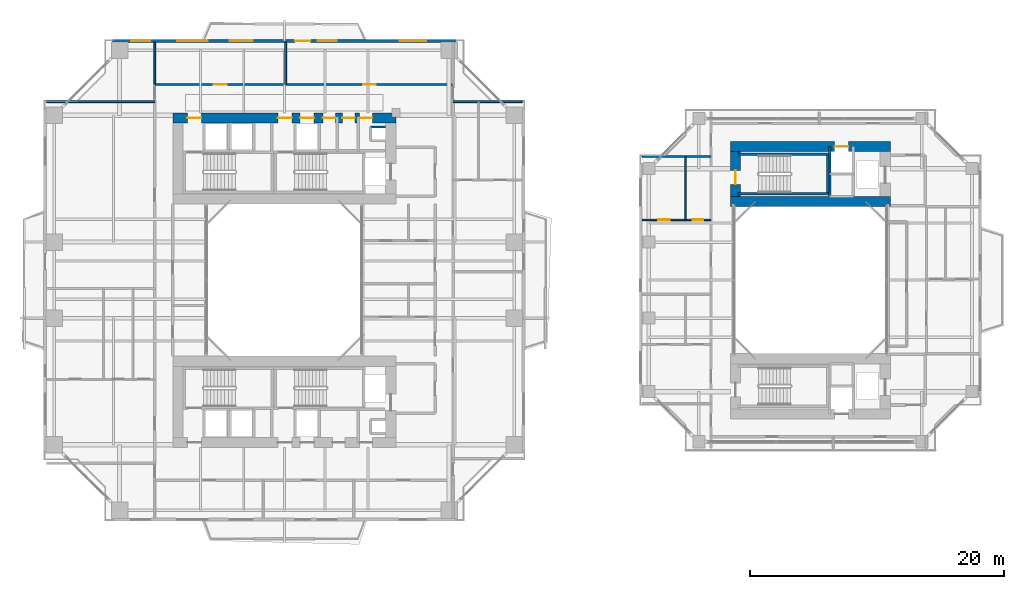
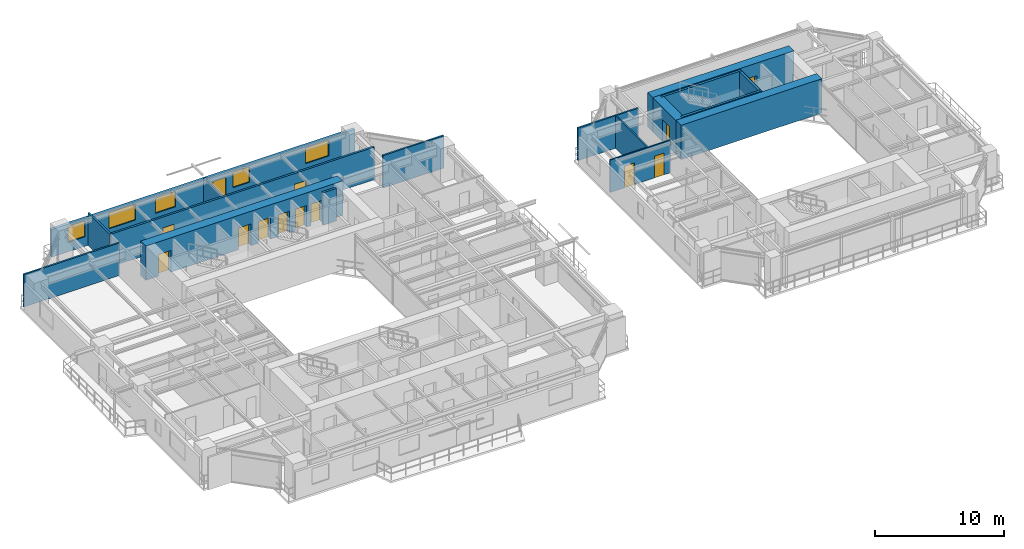
# One storey, part 16 of 23: 18 walls, 13 doors, 5 windows, 18 openings.
"""IFC4 building model written with IfcOpenShell, lengths in metres."""

import ifcopenshell
import ifcopenshell.guid

model = None  # the IFC model being written
_history = None  # IfcOwnerHistory: only IFC2X3 demands one
_inside = {}  # id of a spatial element -> (the spatial element, [elements in it])
_under = {}  # id of a project, library or spatial element -> (it, [spatial elements below it])
_declared = {}  # id of a project -> (the project, [libraries it declares])
_typed = {}  # id of a type object -> (the type object, [elements of that type])
_made_of = {}  # id of a material, layer set ... -> (it, [elements and type objects made of it])


def new_model(schema):
    """Start an empty IFC model of exactly this schema.

    Asked for "IFC4X3", IfcOpenShell would pick the latest addendum, in which some entities
    have other attributes; the version numbers below select the first issue.
    IFC2X3 requires an IfcOwnerHistory on every rooted entity: one is made here for all.
    """
    global model, _history
    if schema == "IFC4X3":
        model = ifcopenshell.file(schema_version=(4, 3, 0, 0))
    else:
        model = ifcopenshell.file(schema=schema)
    _inside.clear()
    _under.clear()
    _declared.clear()
    _typed.clear()
    _made_of.clear()
    _history = None
    if model.schema == "IFC2X3":
        org = make("IfcOrganization", Name="unknown")
        user = make(
            "IfcPersonAndOrganization",
            ThePerson=make("IfcPerson", FamilyName="unknown"),
            TheOrganization=org,
        )
        app = make(
            "IfcApplication",
            ApplicationDeveloper=org,
            Version="unknown",
            ApplicationFullName="unknown",
            ApplicationIdentifier="unknown",
        )
        _history = make(
            "IfcOwnerHistory",
            OwningUser=user,
            OwningApplication=app,
            ChangeAction="ADDED",
            CreationDate=0,
        )
    return model


def make(cls, **values):
    """One entity of the class cls with the attributes given. An attribute that is None is left unset."""
    return model.create_entity(
        cls, **{name: value for name, value in values.items() if value is not None}
    )


def rooted(cls, **values):
    """An entity with a GlobalId (a new one), such as an element, a storey or a relation."""
    return make(cls, GlobalId=ifcopenshell.guid.new(), OwnerHistory=_history, **values)


def si_unit(unit_type, name, prefix=None):
    """IfcSIUnit, for example si_unit("LENGTHUNIT", "METRE", prefix="MILLI")."""
    return make("IfcSIUnit", UnitType=unit_type, Prefix=prefix, Name=name)


def assignment(units):
    """IfcUnitAssignment: the units of a project."""
    return None if units is None else make("IfcUnitAssignment", Units=units)


def point(xyz):
    """IfcCartesianPoint."""
    return None if xyz is None else make("IfcCartesianPoint", Coordinates=xyz)


def direction(xyz):
    """IfcDirection."""
    return None if xyz is None else make("IfcDirection", DirectionRatios=xyz)


def frame(location, z_axis=None, x_axis=None):
    """IfcAxis2Placement3D, a coordinate frame: its origin and axes. An axis left out is left unset."""
    return make(
        "IfcAxis2Placement3D",
        Location=point(location),
        Axis=direction(z_axis),
        RefDirection=direction(x_axis),
    )


def frame_2d(location, x_axis=None):
    """IfcAxis2Placement2D, a coordinate frame in the plane: its origin and x axis."""
    return make(
        "IfcAxis2Placement2D", Location=point(location), RefDirection=direction(x_axis)
    )


def origin():
    """The frame at (0, 0, 0) with its axes left unset."""
    return frame((0.0, 0.0, 0.0))


def place(relative_to, where):
    """IfcLocalPlacement: puts the frame where relative to a parent placement (None: the world)."""
    return make(
        "IfcLocalPlacement", PlacementRelTo=relative_to, RelativePlacement=where
    )


def context(
    kind, dimensions, precision=None, world=None, true_north=None, identifier=None
):
    """IfcGeometricRepresentationContext, for example the 3D "Model" context."""
    return make(
        "IfcGeometricRepresentationContext",
        ContextIdentifier=identifier,
        ContextType=kind,
        CoordinateSpaceDimension=dimensions,
        Precision=precision,
        WorldCoordinateSystem=world,
        TrueNorth=true_north,
    )


def subcontext(parent, identifier, kind, view, scale=None):
    """IfcGeometricRepresentationSubContext, for example "Body" below "Model"."""
    return make(
        "IfcGeometricRepresentationSubContext",
        ContextIdentifier=identifier,
        ContextType=kind,
        ParentContext=parent,
        TargetScale=scale,
        TargetView=view,
    )


def project(units=None, contexts=None):
    """IfcProject with its units and contexts."""
    return rooted(
        "IfcProject",
        Name="project",
        RepresentationContexts=contexts,
        UnitsInContext=assignment(units),
    )


def spatial(cls, under=None, at=None, **own):
    """A site, building, storey or space (cls), placed at a placement, below another one or the project."""
    s = rooted(cls, ObjectPlacement=at, **own)
    if under is not None:
        _under.setdefault(under.id(), (under, []))[1].append(s)
    return s


def profile(cls, at=None, kind="AREA", **sizes):
    """A parametric profile (cls). Its sizes go by their IFC names, for example OverallWidth=200.0."""
    return make(cls, ProfileType=kind, Position=at, **sizes)


def rectangle(**sizes):
    """IfcRectangleProfileDef."""
    return profile("IfcRectangleProfileDef", **sizes)


def extrude(swept, where, along, depth):
    """IfcExtrudedAreaSolid: the profile swept, set in the frame where, extruded along a direction by depth."""
    return make(
        "IfcExtrudedAreaSolid",
        SweptArea=swept,
        Position=where,
        ExtrudedDirection=direction(along),
        Depth=depth,
    )


def shape(context_of_items, identifier, shape_type, items):
    """IfcShapeRepresentation: the items that make up one representation, for example the "Body"."""
    return make(
        "IfcShapeRepresentation",
        ContextOfItems=context_of_items,
        RepresentationIdentifier=identifier,
        RepresentationType=shape_type,
        Items=items,
    )


def source(mapping_origin, context_of_items, identifier, shape_type, items):
    """IfcRepresentationMap: a shape defined once, which mapped items show again and again."""
    return make(
        "IfcRepresentationMap",
        MappingOrigin=mapping_origin,
        MappedRepresentation=shape(context_of_items, identifier, shape_type, items),
    )


def transform(
    local_origin,
    x_axis=None,
    y_axis=None,
    z_axis=None,
    scale=None,
    scale2=None,
    scale3=None,
    uniform=True,
):
    """IfcCartesianTransformationOperator3D, or its non-uniform kind. x_axis, y_axis, z_axis: its Axis1, 2, 3."""
    if uniform:
        return make(
            "IfcCartesianTransformationOperator3D",
            Axis1=direction(x_axis),
            Axis2=direction(y_axis),
            LocalOrigin=point(local_origin),
            Scale=scale,
            Axis3=direction(z_axis),
        )
    return make(
        "IfcCartesianTransformationOperator3DnonUniform",
        Axis1=direction(x_axis),
        Axis2=direction(y_axis),
        LocalOrigin=point(local_origin),
        Scale=scale,
        Axis3=direction(z_axis),
        Scale2=scale2,
        Scale3=scale3,
    )


def mapped(mapping_source, mapping_target):
    """IfcMappedItem: shows the shape of a source again, moved by a transform."""
    return make(
        "IfcMappedItem", MappingSource=mapping_source, MappingTarget=mapping_target
    )


def material(Name=None, Category=None):
    """IfcMaterial."""
    return make("IfcMaterial", Name=Name, Category=Category)


def layer(
    of_material, thickness, ventilated=None, Name=None, Category=None, Priority=None
):
    """IfcMaterialLayer: one layer of a wall or slab, of a material (None: an air gap)."""
    return make(
        "IfcMaterialLayer",
        Material=of_material,
        LayerThickness=thickness,
        IsVentilated=ventilated,
        Name=Name,
        Category=Category,
        Priority=Priority,
    )


def layer_set(layers, Name=None):
    """IfcMaterialLayerSet."""
    return make("IfcMaterialLayerSet", MaterialLayers=layers, LayerSetName=Name)


def made_of(thing, what):
    """Note that an element or type object is made of a material, layer set ...; save() writes the relation."""
    if what is not None:
        _made_of.setdefault(what.id(), (what, []))[1].append(thing)
    return thing


def type_object(cls, material=None, **own):
    """A type object (cls), such as IfcWallType, which elements share."""
    return made_of(rooted(cls, **own), material)


def element(
    cls,
    number,
    at=None,
    inside=None,
    cuts=None,
    type_object=None,
    material=None,
    context=None,
    identifier="Body",
    shape_type=None,
    held_by="IfcProductDefinitionShape",
    body=None,
    shapes=None,
    **own,
):
    """One element of the class cls, such as IfcWall. Its Tag is "e" and its number.

    at: its placement. inside: the storey or other place that contains it. cuts: it is an
    opening in that element (IfcRelVoidsElement). A single representation is given by context,
    identifier, shape_type and body (its items); several are given by shapes. held_by: the class
    of the entity that holds the representations. save() writes the other relations.
    """
    e = rooted(cls, Tag="e%d" % number, ObjectPlacement=at, **own)
    if body is not None:
        shapes = [shape(context, identifier, shape_type, body)]
    if shapes is not None:
        e.Representation = make(held_by, Representations=shapes)
    if inside is not None:
        _inside.setdefault(inside.id(), (inside, []))[1].append(e)
    if cuts is not None:
        rooted(
            "IfcRelVoidsElement", RelatingBuildingElement=cuts, RelatedOpeningElement=e
        )
    if type_object is not None:
        _typed.setdefault(type_object.id(), (type_object, []))[1].append(e)
    return made_of(e, material)


def fill(opening, filler):
    """IfcRelFillsElement: the door or window that sits in an opening."""
    return rooted(
        "IfcRelFillsElement",
        RelatingOpeningElement=opening,
        RelatedBuildingElement=filler,
    )


def aggregate(whole, parts):
    """IfcRelAggregates: a whole, such as a stair, and the parts it consists of."""
    return rooted("IfcRelAggregates", RelatingObject=whole, RelatedObjects=parts)


def save(model, path):
    """Write the relations noted so far, then the file.

    IfcRelAggregates (storeys below a building ...), IfcRelContainedInSpatialStructure (elements
    in a storey), IfcRelDefinesByType, IfcRelAssociatesMaterial and IfcRelDeclares: one each for
    every whole, place, type object, material and project.
    """
    for whole, parts in _under.values():
        aggregate(whole, parts)
    for where, things in _inside.values():
        rooted(
            "IfcRelContainedInSpatialStructure",
            RelatedElements=things,
            RelatingStructure=where,
        )
    for kind, things in _typed.values():
        rooted("IfcRelDefinesByType", RelatedObjects=things, RelatingType=kind)
    for what, things in _made_of.values():
        rooted("IfcRelAssociatesMaterial", RelatedObjects=things, RelatingMaterial=what)
    for by, libraries in _declared.values():
        rooted("IfcRelDeclares", RelatingContext=by, RelatedDefinitions=libraries)
    model.write(path)


model = new_model("IFC4")

# Units and contexts
model_context = context("Model", 3, precision=1e-05, world=origin(), true_north=direction((0.0, 1.0)))
body_context = subcontext(model_context, "Body", "Model", "MODEL_VIEW")
ifc_project = project(units=[si_unit("LENGTHUNIT", "METRE"), si_unit("AREAUNIT", "SQUARE_METRE"), si_unit("VOLUMEUNIT", "CUBIC_METRE"), si_unit("PLANEANGLEUNIT", "RADIAN"), si_unit("MASSUNIT", "GRAM", prefix="KILO"), si_unit("THERMODYNAMICTEMPERATUREUNIT", "KELVIN"), si_unit("POWERUNIT", "WATT")], contexts=[model_context])

# Site, building, storey
site_placement = place(None, origin())
site = spatial("IfcSite", under=ifc_project, at=site_placement, CompositionType="ELEMENT")
building_placement = place(site_placement, origin())
building = spatial("IfcBuilding", under=site, at=building_placement, Name="Qiaomeng Ring Towers", CompositionType="ELEMENT")
storey_placement = place(building_placement, frame((0.0, 0.0, 29.5)))
storey = spatial("IfcBuildingStorey", under=building, at=storey_placement, Name="L07", CompositionType="ELEMENT", Elevation=29.5)

# Wall, openings, windows, door
ifc_material_1 = material(Name="Precast concrete C40", Category="concrete")
ifc_layer_1 = layer(ifc_material_1, 0.25, Name="Precast concrete C40")
ifc_layer_set_1 = layer_set([ifc_layer_1], Name="Precast concrete C40")
wall_type_1 = type_object("IfcWallType", Name="ARC-WL-EW1", PredefinedType="STANDARD", material=ifc_layer_set_1)
wall_1_placement = place(storey_placement, frame((5.449951171875, 41.875, 0.0), z_axis=(0.0, 0.0, 1.0), x_axis=(1.0, 0.0, 0.0)))
wall_1 = element("IfcWall", 1, at=wall_1_placement, inside=storey, type_object=wall_type_1, Name="L07 Tower 1 N Exterior Wall", PredefinedType="STANDARD", context=body_context, shape_type="SweptSolid", body=[
    extrude(rectangle(XDim=27.10009765625, YDim=0.25, at=frame_2d((13.550048828125, 0.0))), origin(), (0.0, 0.0, 1.0), 2.610107421875),
])
opening_1_placement = place(wall_1_placement, frame((14.39990234375, 0.0, 0.0)))
opening_1 = element("IfcOpeningElement", 2, at=opening_1_placement, cuts=wall_1, Name="Opening BD1", PredefinedType="OPENING", context=body_context, shape_type="SweptSolid", body=[
    extrude(rectangle(XDim=1.199951171875, YDim=2.10009765625, at=frame_2d((0.60009765625, 1.050048828125))), frame((0.0, 0.135009765625, 0.0), z_axis=(0.0, -1.0, 0.0), x_axis=(1.0, 0.0, 0.0)), (0.0, 0.0, 1.0), 0.27001953125),
])
opening_2_placement = place(wall_1_placement, frame((1.47998046875, 0.0, 0.89990234375)))
opening_2 = element("IfcOpeningElement", 3, at=opening_2_placement, cuts=wall_1, Name="Opening WN2", PredefinedType="OPENING", context=body_context, shape_type="SweptSolid", body=[
    extrude(rectangle(XDim=1.5, YDim=1.5, at=frame_2d((0.75, 0.75))), frame((0.0, 0.135009765625, 0.0), z_axis=(0.0, -1.0, 0.0), x_axis=(1.0, 0.0, 0.0)), (0.0, 0.0, 1.0), 0.27001953125),
])
opening_3_placement = place(wall_1_placement, frame((9.262939453125, 0.0, 0.89990234375)))
opening_3 = element("IfcOpeningElement", 4, at=opening_3_placement, cuts=wall_1, Name="Opening WN1", PredefinedType="OPENING", context=body_context, shape_type="SweptSolid", body=[
    extrude(rectangle(XDim=1.800048828125, YDim=1.449951171875, at=frame_2d((0.89990234375, 0.72509765625))), frame((0.0, 0.135009765625, 0.0), z_axis=(0.0, -1.0, 0.0), x_axis=(1.0, 0.0, 0.0)), (0.0, 0.0, 1.0), 0.27001953125),
])
opening_4_placement = place(wall_1_placement, frame((16.18798828125, 0.0, 0.89990234375)))
opening_4 = element("IfcOpeningElement", 5, at=opening_4_placement, cuts=wall_1, Name="Opening WN2", PredefinedType="OPENING", context=body_context, shape_type="SweptSolid", body=[
    extrude(rectangle(XDim=1.5, YDim=1.449951171875, at=frame_2d((0.75, 0.72509765625))), frame((0.0, 0.135009765625, 0.0), z_axis=(0.0, -1.0, 0.0), x_axis=(1.0, 0.0, 0.0)), (0.0, 0.0, 1.0), 0.27001953125),
])
opening_5_placement = place(wall_1_placement, frame((22.6630859375, 0.0, 0.89990234375)))
opening_5 = element("IfcOpeningElement", 6, at=opening_5_placement, cuts=wall_1, Name="Opening WN4", PredefinedType="OPENING", context=body_context, shape_type="SweptSolid", body=[
    extrude(rectangle(XDim=2.10009765625, YDim=1.47998046875, at=frame_2d((1.050048828125, 0.739990234375))), frame((0.0, 0.135009765625, 0.0), z_axis=(0.0, -1.0, 0.0), x_axis=(1.0, 0.0, 0.0)), (0.0, 0.0, 1.0), 0.27001953125),
])
opening_6_placement = place(wall_1_placement, frame((5.114013671875, 0.0, 0.89990234375)))
opening_6 = element("IfcOpeningElement", 7, at=opening_6_placement, cuts=wall_1, Name="Opening WN6", PredefinedType="OPENING", context=body_context, shape_type="SweptSolid", body=[
    extrude(rectangle(XDim=2.39990234375, YDim=1.5, at=frame_2d((1.199951171875, 0.75))), frame((0.0, 0.135009765625, 0.0), z_axis=(0.0, -1.0, 0.0), x_axis=(1.0, 0.0, 0.0)), (0.0, 0.0, 1.0), 0.27001953125),
])
ifc_material_2 = material(Name="Low-E dark-grey laminated double glazing", Category="glass")
window_type_1 = type_object("IfcWindowType", Name="ARC-WN-2", PartitioningType="DOUBLE_PANEL_VERTICAL", PredefinedType="WINDOW", material=ifc_material_2)
shared_shape_1 = source(origin(), body_context, "Body", "SweptSolid", [
    extrude(rectangle(XDim=1.5, YDim=1.449951171875, at=frame_2d((0.75, 0.72509765625))), frame((0.0, 0.030029296875, 0.0), z_axis=(0.0, -1.0, 0.0), x_axis=(1.0, 0.0, 0.0)), (0.0, 0.0, 1.0), 0.06005859375),
])
window_1_placement = place(opening_4_placement, origin())
window_1 = element("IfcWindow", 8, at=window_1_placement, inside=storey, type_object=window_type_1, Name="L07 Exterior Window WN2", OverallHeight=1.449951171875, OverallWidth=1.5, PartitioningType="DOUBLE_PANEL_VERTICAL", PredefinedType="WINDOW", context=body_context, shape_type="MappedRepresentation", body=[
    mapped(shared_shape_1, transform((0.0, 0.0, 0.0), x_axis=(1.0, 0.0, 0.0), y_axis=(0.0, 1.0, 0.0), z_axis=(0.0, 0.0, 1.0), scale=1.0)),
])
fill(opening_4, window_1)
window_type_2 = type_object("IfcWindowType", Name="ARC-WN-4", PartitioningType="TRIPLE_PANEL_VERTICAL", PredefinedType="WINDOW", material=ifc_material_2)
shared_shape_2 = source(origin(), body_context, "Body", "SweptSolid", [
    extrude(rectangle(XDim=2.10009765625, YDim=1.47998046875, at=frame_2d((1.050048828125, 0.739990234375))), frame((0.0, 0.030029296875, 0.0), z_axis=(0.0, -1.0, 0.0), x_axis=(1.0, 0.0, 0.0)), (0.0, 0.0, 1.0), 0.06005859375),
])
window_2_placement = place(opening_5_placement, origin())
window_2 = element("IfcWindow", 9, at=window_2_placement, inside=storey, type_object=window_type_2, Name="L07 Exterior Window WN4", OverallHeight=1.47998046875, OverallWidth=2.10009765625, PartitioningType="TRIPLE_PANEL_VERTICAL", PredefinedType="WINDOW", context=body_context, shape_type="MappedRepresentation", body=[
    mapped(shared_shape_2, transform((0.0, 0.0, 0.0), x_axis=(1.0, 0.0, 0.0), y_axis=(0.0, 1.0, 0.0), z_axis=(0.0, 0.0, 1.0), scale=1.0)),
])
fill(opening_5, window_2)
window_type_3 = type_object("IfcWindowType", Name="ARC-WN-1", PartitioningType="DOUBLE_PANEL_VERTICAL", PredefinedType="WINDOW", material=ifc_material_2)
shared_shape_3 = source(origin(), body_context, "Body", "SweptSolid", [
    extrude(rectangle(XDim=1.800048828125, YDim=1.449951171875, at=frame_2d((0.89990234375, 0.72509765625))), frame((0.0, 0.030029296875, 0.0), z_axis=(0.0, -1.0, 0.0), x_axis=(1.0, 0.0, 0.0)), (0.0, 0.0, 1.0), 0.06005859375),
])
window_3_placement = place(opening_3_placement, origin())
window_3 = element("IfcWindow", 10, at=window_3_placement, inside=storey, type_object=window_type_3, Name="L07 Exterior Window WN1", OverallHeight=1.449951171875, OverallWidth=1.800048828125, PartitioningType="DOUBLE_PANEL_VERTICAL", PredefinedType="WINDOW", context=body_context, shape_type="MappedRepresentation", body=[
    mapped(shared_shape_3, transform((0.0, 0.0, 0.0), x_axis=(1.0, 0.0, 0.0), y_axis=(0.0, 1.0, 0.0), z_axis=(0.0, 0.0, 1.0), scale=1.0)),
])
fill(opening_3, window_3)
door_type_1 = type_object("IfcDoorType", Name="ARC-DR-BD1", OperationType="NOTDEFINED", PredefinedType="DOOR", material=ifc_material_2)
shared_shape_4 = source(origin(), body_context, "Body", "SweptSolid", [
    extrude(rectangle(XDim=1.199951171875, YDim=2.10009765625, at=frame_2d((0.60009765625, 1.050048828125))), frame((0.0, 0.02490234375, 0.0), z_axis=(0.0, -1.0, 0.0), x_axis=(1.0, 0.0, 0.0)), (0.0, 0.0, 1.0), 0.050048828125),
])
door_1_placement = place(opening_1_placement, origin())
door_1 = element("IfcDoor", 11, at=door_1_placement, inside=storey, type_object=door_type_1, Name="L07 N Balcony Glazed Door", OperationType="SINGLE_SWING_LEFT", OverallHeight=2.10009765625, OverallWidth=1.199951171875, PredefinedType="DOOR", context=body_context, shape_type="MappedRepresentation", body=[
    mapped(shared_shape_4, transform((0.0, 0.0, 0.0), x_axis=(1.0, 0.0, 0.0), y_axis=(0.0, 1.0, 0.0), z_axis=(0.0, 0.0, 1.0), scale=1.0)),
])
fill(opening_1, door_1)
shared_shape_5 = source(origin(), body_context, "Body", "SweptSolid", [
    extrude(rectangle(XDim=1.5, YDim=1.5, at=frame_2d((0.75, 0.75))), frame((0.0, 0.030029296875, 0.0), z_axis=(0.0, -1.0, 0.0), x_axis=(1.0, 0.0, 0.0)), (0.0, 0.0, 1.0), 0.06005859375),
])
window_4_placement = place(opening_2_placement, origin())
window_4 = element("IfcWindow", 12, at=window_4_placement, inside=storey, type_object=window_type_1, Name="L07 Exterior Window WN6", OverallHeight=1.5, OverallWidth=1.5, PartitioningType="TRIPLE_PANEL_VERTICAL", PredefinedType="WINDOW", context=body_context, shape_type="MappedRepresentation", body=[
    mapped(shared_shape_5, transform((0.0, 0.0, 0.0), x_axis=(1.0, 0.0, 0.0), y_axis=(0.0, 1.0, 0.0), z_axis=(0.0, 0.0, 1.0), scale=1.0)),
])
fill(opening_2, window_4)
window_type_4 = type_object("IfcWindowType", Name="ARC-WN-6", PartitioningType="TRIPLE_PANEL_VERTICAL", PredefinedType="WINDOW", material=ifc_material_2)
shared_shape_6 = source(origin(), body_context, "Body", "SweptSolid", [
    extrude(rectangle(XDim=2.39990234375, YDim=1.5, at=frame_2d((1.199951171875, 0.75))), frame((0.0, 0.030029296875, 0.0), z_axis=(0.0, -1.0, 0.0), x_axis=(1.0, 0.0, 0.0)), (0.0, 0.0, 1.0), 0.06005859375),
])
window_5_placement = place(opening_6_placement, origin())
window_5 = element("IfcWindow", 13, at=window_5_placement, inside=storey, type_object=window_type_4, Name="L07 Exterior Window WN6", OverallHeight=1.5, OverallWidth=2.39990234375, PartitioningType="TRIPLE_PANEL_VERTICAL", PredefinedType="WINDOW", context=body_context, shape_type="MappedRepresentation", body=[
    mapped(shared_shape_6, transform((0.0, 0.0, 0.0), x_axis=(1.0, 0.0, 0.0), y_axis=(0.0, 1.0, 0.0), z_axis=(0.0, 0.0, 1.0), scale=1.0)),
])
fill(opening_6, window_5)

# Wall, openings, doors
ifc_material_3 = material(Name="Autoclaved aerated concrete block", Category="concrete")
ifc_layer_2 = layer(ifc_material_3, 0.179931640625, Name="Autoclaved aerated concrete block")
ifc_layer_set_2 = layer_set([ifc_layer_2], Name="Autoclaved aerated concrete block")
wall_type_2 = type_object("IfcWallType", Name="ARC-WL-PW2", PredefinedType="PARTITIONING", material=ifc_layer_set_2)
wall_2_placement = place(storey_placement, frame((8.780029296875, 38.43994140625, 0.0), z_axis=(0.0, 0.0, 1.0), x_axis=(1.0, 0.0, 0.0)))
wall_2 = element("IfcWall", 14, at=wall_2_placement, inside=storey, type_object=wall_type_2, Name="L07 Interior Wall PW2", PredefinedType="PARTITIONING", context=body_context, shape_type="SweptSolid", body=[
    extrude(rectangle(XDim=23.5400390625, YDim=0.179931640625, at=frame_2d((11.77001953125, 0.0))), origin(), (0.0, 0.0, 1.0), 3.070068359375),
])
opening_7_placement = place(wall_2_placement, frame((4.659912109375, 0.0, 0.0)))
opening_7 = element("IfcOpeningElement", 15, at=opening_7_placement, cuts=wall_2, Name="Opening FD4", PredefinedType="OPENING", context=body_context, shape_type="SweptSolid", body=[
    extrude(rectangle(XDim=1.0, YDim=2.050048828125, at=frame_2d((0.5, 1.02490234375))), frame((0.0, 0.099853515625, 0.0), z_axis=(0.0, -1.0, 0.0), x_axis=(1.0, 0.0, 0.0)), (0.0, 0.0, 1.0), 0.199951171875),
])
opening_8_placement = place(wall_2_placement, frame((16.429931640625, 0.0, 0.0)))
opening_8 = element("IfcOpeningElement", 16, at=opening_8_placement, cuts=wall_2, Name="Opening FD4", PredefinedType="OPENING", context=body_context, shape_type="SweptSolid", body=[
    extrude(rectangle(XDim=1.0, YDim=2.050048828125, at=frame_2d((0.5, 1.02490234375))), frame((0.0, 0.099853515625, 0.0), z_axis=(0.0, -1.0, 0.0), x_axis=(1.0, 0.0, 0.0)), (0.0, 0.0, 1.0), 0.199951171875),
])
ifc_material_4 = material(Name="Engineered fire-rated oak timber", Category="wood")
door_type_2 = type_object("IfcDoorType", Name="ARC-DR-FD4", OperationType="NOTDEFINED", PredefinedType="DOOR", material=ifc_material_4)
shared_shape_7 = source(origin(), body_context, "Body", "SweptSolid", [
    extrude(rectangle(XDim=1.0, YDim=2.050048828125, at=frame_2d((0.5, 1.02490234375))), frame((0.0, 0.02490234375, 0.0), z_axis=(0.0, -1.0, 0.0), x_axis=(1.0, 0.0, 0.0)), (0.0, 0.0, 1.0), 0.050048828125),
])
door_2_placement = place(opening_7_placement, origin())
door_2 = element("IfcDoor", 17, at=door_2_placement, inside=storey, type_object=door_type_2, Name="L07 Door FD4", OperationType="SINGLE_SWING_RIGHT", OverallHeight=2.050048828125, OverallWidth=1.0, PredefinedType="DOOR", context=body_context, shape_type="MappedRepresentation", body=[
    mapped(shared_shape_7, transform((0.0, 0.0, 0.0), x_axis=(1.0, 0.0, 0.0), y_axis=(0.0, 1.0, 0.0), z_axis=(0.0, 0.0, 1.0), scale=1.0)),
])
fill(opening_7, door_2)
door_3_placement = place(opening_8_placement, origin())
door_3 = element("IfcDoor", 18, at=door_3_placement, inside=storey, type_object=door_type_2, Name="L07 Door FD4", OperationType="SINGLE_SWING_LEFT", OverallHeight=2.050048828125, OverallWidth=1.0, PredefinedType="DOOR", context=body_context, shape_type="MappedRepresentation", body=[
    mapped(shared_shape_7, transform((0.0, 0.0, 0.0), x_axis=(1.0, 0.0, 0.0), y_axis=(0.0, 1.0, 0.0), z_axis=(0.0, 0.0, 1.0), scale=1.0)),
])
fill(opening_8, door_3)

# Walls
ifc_material_5 = material(Name="Gypsum fireboard steel-stud partition", Category="steel")
ifc_layer_3 = layer(ifc_material_5, 0.14990234375, Name="Gypsum fireboard steel-stud partition")
ifc_layer_set_3 = layer_set([ifc_layer_3], Name="Gypsum fireboard steel-stud partition")
wall_type_3 = type_object("IfcWallType", Name="ARC-WL-PW3", PredefinedType="PARTITIONING", material=ifc_layer_set_3)
wall_3_placement = place(storey_placement, frame((19.10009765625, 38.43994140625, 0.0), z_axis=(0.0, 0.0, 1.0), x_axis=(0.0, 1.0, 0.0)))
element("IfcWall", 19, at=wall_3_placement, inside=storey, type_object=wall_type_3, Name="L07 Interior Wall PW3", PredefinedType="PARTITIONING", context=body_context, shape_type="SweptSolid", body=[
    extrude(rectangle(XDim=3.31005859375, YDim=0.14990234375, at=frame_2d((1.655029296875, 0.0))), origin(), (0.0, 0.0, 1.0), 2.764892578125),
])
wall_4_placement = place(storey_placement, frame((8.780029296875, 38.43994140625, 0.0), z_axis=(0.0, 0.0, 1.0), x_axis=(0.0, 1.0, 0.0)))
element("IfcWall", 20, at=wall_4_placement, inside=storey, type_object=wall_type_3, Name="L07 Interior Wall PW3", PredefinedType="PARTITIONING", context=body_context, shape_type="SweptSolid", body=[
    extrude(rectangle(XDim=3.31005859375, YDim=0.14990234375, at=frame_2d((1.655029296875, 0.0))), origin(), (0.0, 0.0, 1.0), 3.070068359375),
])
wall_5_placement = place(storey_placement, frame((0.25, 37.080078125, 0.0), z_axis=(0.0, 0.0, 1.0), x_axis=(1.0, 0.0, 0.0)))
element("IfcWall", 21, at=wall_5_placement, inside=storey, type_object=wall_type_3, Name="L07 Interior Wall PW3", PredefinedType="PARTITIONING", context=body_context, shape_type="SweptSolid", body=[
    extrude(rectangle(XDim=8.530029296875, YDim=0.14990234375, at=frame_2d((4.26513671875, 0.0))), origin(), (0.0, 0.0, 1.0), 3.070068359375),
])
wall_6_placement = place(storey_placement, frame((32.320068359375, 37.080078125, 0.0), z_axis=(0.0, 0.0, 1.0), x_axis=(1.0, 0.0, 0.0)))
element("IfcWall", 22, at=wall_6_placement, inside=storey, type_object=wall_type_3, Name="L07 Interior Wall PW3", PredefinedType="PARTITIONING", context=body_context, shape_type="SweptSolid", body=[
    extrude(rectangle(XDim=5.429931640625, YDim=0.14990234375, at=frame_2d((2.71484375, 0.0))), origin(), (0.0, 0.0, 1.0), 3.070068359375),
])
wall_7_placement = place(storey_placement, frame((47.25, 32.75, 0.0), z_axis=(0.0, 0.0, 1.0), x_axis=(1.0, 0.0, 0.0)))
element("IfcWall", 23, at=wall_7_placement, inside=storey, type_object=wall_type_3, Name="L07 Interior Wall PW3", PredefinedType="PARTITIONING", context=body_context, shape_type="SweptSolid", body=[
    extrude(rectangle(XDim=5.39990234375, YDim=0.14990234375, at=frame_2d((2.699951171875, 0.0))), origin(), (0.0, 0.0, 1.0), 3.070068359375),
])

# Wall, openings, doors
ifc_material_6 = material(Name="Moisture-resistant gypsum steel-stud partition", Category="steel")
ifc_layer_4 = layer(ifc_material_6, 0.1201171875, Name="Moisture-resistant gypsum steel-stud partition")
ifc_layer_set_4 = layer_set([ifc_layer_4], Name="Moisture-resistant gypsum steel-stud partition")
wall_type_4 = type_object("IfcWallType", Name="ARC-WL-PW4", PredefinedType="PLUMBINGWALL", material=ifc_layer_set_4)
wall_8_placement = place(storey_placement, frame((47.25, 27.760009765625, 0.0), z_axis=(0.0, 0.0, 1.0), x_axis=(1.0, 0.0, 0.0)))
wall_8 = element("IfcWall", 24, at=wall_8_placement, inside=storey, type_object=wall_type_4, Name="L07 Interior Wall PW4", PredefinedType="PLUMBINGWALL", context=body_context, shape_type="SweptSolid", body=[
    extrude(rectangle(XDim=5.39990234375, YDim=0.1201171875, at=frame_2d((2.699951171875, 0.0))), origin(), (0.0, 0.0, 1.0), 3.070068359375),
])
opening_9_placement = place(wall_8_placement, frame((1.260009765625, 0.0, 0.0)))
opening_9 = element("IfcOpeningElement", 25, at=opening_9_placement, cuts=wall_8, Name="Opening ID1", PredefinedType="OPENING", context=body_context, shape_type="SweptSolid", body=[
    extrude(rectangle(XDim=0.89990234375, YDim=2.050048828125, at=frame_2d((0.449951171875, 1.02490234375))), frame((0.0, 0.070068359375, 0.0), z_axis=(0.0, -1.0, 0.0), x_axis=(1.0, 0.0, 0.0)), (0.0, 0.0, 1.0), 0.14013671875),
])
opening_10_placement = place(wall_8_placement, frame((3.965087890625, 0.0, 0.0)))
opening_10 = element("IfcOpeningElement", 26, at=opening_10_placement, cuts=wall_8, Name="Opening ID2", PredefinedType="OPENING", context=body_context, shape_type="SweptSolid", body=[
    extrude(rectangle(XDim=0.85009765625, YDim=2.050048828125, at=frame_2d((0.425048828125, 1.02490234375))), frame((0.0, 0.070068359375, 0.0), z_axis=(0.0, -1.0, 0.0), x_axis=(1.0, 0.0, 0.0)), (0.0, 0.0, 1.0), 0.14013671875),
])
ifc_material_7 = material(Name="Moisture-resistant engineered timber", Category="wood")
door_type_3 = type_object("IfcDoorType", Name="ARC-DR-ID2", OperationType="NOTDEFINED", PredefinedType="DOOR", material=ifc_material_7)
shared_shape_8 = source(origin(), body_context, "Body", "SweptSolid", [
    extrude(rectangle(XDim=0.85009765625, YDim=2.050048828125, at=frame_2d((0.425048828125, 1.02490234375))), frame((0.0, 0.02490234375, 0.0), z_axis=(0.0, -1.0, 0.0), x_axis=(1.0, 0.0, 0.0)), (0.0, 0.0, 1.0), 0.050048828125),
])
door_4_placement = place(opening_10_placement, origin())
door_4 = element("IfcDoor", 27, at=door_4_placement, inside=storey, type_object=door_type_3, Name="L07 Door ID2", OperationType="SINGLE_SWING_LEFT", OverallHeight=2.050048828125, OverallWidth=0.85009765625, PredefinedType="DOOR", context=body_context, shape_type="MappedRepresentation", body=[
    mapped(shared_shape_8, transform((0.0, 0.0, 0.0), x_axis=(1.0, 0.0, 0.0), y_axis=(0.0, 1.0, 0.0), z_axis=(0.0, 0.0, 1.0), scale=1.0)),
])
fill(opening_10, door_4)
ifc_material_8 = material(Name="Engineered oak timber", Category="wood")
door_type_4 = type_object("IfcDoorType", Name="ARC-DR-ID1", OperationType="NOTDEFINED", PredefinedType="DOOR", material=ifc_material_8)
shared_shape_9 = source(origin(), body_context, "Body", "SweptSolid", [
    extrude(rectangle(XDim=0.89990234375, YDim=2.050048828125, at=frame_2d((0.449951171875, 1.02490234375))), frame((0.0, 0.02490234375, 0.0), z_axis=(0.0, -1.0, 0.0), x_axis=(1.0, 0.0, 0.0)), (0.0, 0.0, 1.0), 0.050048828125),
])
door_5_placement = place(opening_9_placement, origin())
door_5 = element("IfcDoor", 28, at=door_5_placement, inside=storey, type_object=door_type_4, Name="L07 Door ID1", OperationType="SINGLE_SWING_RIGHT", OverallHeight=2.050048828125, OverallWidth=0.89990234375, PredefinedType="DOOR", context=body_context, shape_type="MappedRepresentation", body=[
    mapped(shared_shape_9, transform((0.0, 0.0, 0.0), x_axis=(1.0, 0.0, 0.0), y_axis=(0.0, 1.0, 0.0), z_axis=(0.0, 0.0, 1.0), scale=1.0)),
])
fill(opening_9, door_5)

# Walls
wall_9_placement = place(storey_placement, frame((50.64990234375, 27.760009765625, 0.0), z_axis=(0.0, 0.0, 1.0), x_axis=(0.0, 1.0, 0.0)))
element("IfcWall", 29, at=wall_9_placement, inside=storey, type_object=wall_type_4, Name="L07 Interior Wall PW4", PredefinedType="PLUMBINGWALL", context=body_context, shape_type="SweptSolid", body=[
    extrude(rectangle(XDim=4.989990234375, YDim=0.1201171875, at=frame_2d((2.4951171875, 0.0))), origin(), (0.0, 0.0, 1.0), 3.070068359375),
])
ifc_material_9 = material(Name="Concrete C40", Category="concrete")
ifc_layer_5 = layer(ifc_material_9, 0.199951171875, Name="Concrete C40")
ifc_layer_set_5 = layer_set([ifc_layer_5], Name="Concrete C40")
wall_type_5 = type_object("IfcWallType", Name="STR-WL-STSHAFT", PredefinedType="SHEAR", material=ifc_layer_set_5)
wall_10_placement = place(storey_placement, frame((25.800048828125, 35.080078125, 0.0), z_axis=(0.0, 0.0, 1.0), x_axis=(1.0, 0.0, 0.0)))
element("IfcWall", 30, at=wall_10_placement, inside=storey, type_object=wall_type_5, Name="L07 Riser RSR1 North Shaft Wall N", PredefinedType="SHEAR", context=body_context, shape_type="SweptSolid", body=[
    extrude(rectangle(XDim=1.199951171875, YDim=0.179931640625, at=frame_2d((0.60009765625, 0.0))), origin(), (0.0, 0.0, 1.0), 3.070068359375),
])
wall_11_placement = place(storey_placement, frame((62.02001953125, 29.60009765625, 0.0), z_axis=(0.0, 0.0, 1.0), x_axis=(0.0, 1.0, 0.0)))
element("IfcWall", 31, at=wall_11_placement, inside=storey, type_object=wall_type_5, Name="L07 Companion Lift Shaft West Wall N", PredefinedType="SHEAR", context=body_context, shape_type="SweptSolid", body=[
    extrude(rectangle(XDim=3.949951171875, YDim=0.179931640625, at=frame_2d((1.97509765625, 0.0))), origin(), (0.0, 0.0, 1.0), 3.070068359375),
])
for number, where, z_axis, x_axis, name in (
    (32, (54.800048828125, 29.800048828125, 0.0), (0.0, 0.0, 1.0), (1.0, 0.0, 0.0), "L07 Stair ST5 South Shaft Shear Wall"),
    (33, (54.800048828125, 32.93994140625, 0.0), (0.0, 0.0, 1.0), (1.0, 0.0, 0.0), "L07 Stair ST5 North Shaft Shear Wall"),
):
    element("IfcWall", number, at=place(storey_placement, frame(where, z_axis=z_axis, x_axis=x_axis)), inside=storey, type_object=wall_type_5, Name=name, PredefinedType="SHEAR", context=body_context, shape_type="SweptSolid", body=[
        extrude(rectangle(XDim=7.14990234375, YDim=0.199951171875, at=frame_2d((3.574951171875, 0.0))), origin(), (0.0, 0.0, 1.0), 3.25),
    ])
wall_12_placement = place(storey_placement, frame((61.85009765625, 29.89990234375, 0.0), z_axis=(0.0, 0.0, 1.0), x_axis=(0.0, 1.0, 0.0)))
element("IfcWall", 34, at=wall_12_placement, inside=storey, type_object=wall_type_5, Name="L07 Stair ST5 East Shaft Shear Wall", PredefinedType="SHEAR", context=body_context, shape_type="SweptSolid", body=[
    extrude(rectangle(XDim=2.940185546875, YDim=0.199951171875, at=frame_2d((1.47021484375, 0.0))), origin(), (0.0, 0.0, 1.0), 3.25),
])

# Wall, openings, doors
ifc_material_10 = material(Name="Concrete C60", Category="concrete")
ifc_layer_6 = layer(ifc_material_10, 0.800048828125, Name="Concrete C60")
ifc_layer_set_6 = layer_set([ifc_layer_6], Name="Concrete C60")
wall_type_6 = type_object("IfcWallType", Name="STR-WL-SW1", PredefinedType="SHEAR", material=ifc_layer_set_6)
wall_13_placement = place(storey_placement, frame((10.199951171875, 35.800048828125, 0.0), z_axis=(0.0, 0.0, 1.0), x_axis=(1.0, 0.0, 0.0)))
wall_13 = element("IfcWall", 35, at=wall_13_placement, inside=storey, type_object=wall_type_6, Name="L07 T1NC north core shear wall", PredefinedType="SHEAR", context=body_context, shape_type="SweptSolid", body=[
    extrude(rectangle(XDim=17.60009765625, YDim=0.800048828125, at=frame_2d((8.800048828125, 0.0))), origin(), (0.0, 0.0, 1.0), 3.25),
])
opening_11_placement = place(wall_13_placement, frame((1.14990234375, 0.0, 0.0)))
opening_11 = element("IfcOpeningElement", 36, at=opening_11_placement, cuts=wall_13, Name="Opening FD3", PredefinedType="OPENING", context=body_context, shape_type="SweptSolid", body=[
    extrude(rectangle(XDim=1.10009765625, YDim=2.050048828125, at=frame_2d((0.550048828125, 1.02490234375))), frame((0.0, 0.409912109375, 0.0), z_axis=(0.0, -1.0, 0.0), x_axis=(1.0, 0.0, 0.0)), (0.0, 0.0, 1.0), 0.820068359375),
])
opening_12_placement = place(wall_13_placement, frame((8.300048828125, 0.0, 0.0)))
opening_12 = element("IfcOpeningElement", 37, at=opening_12_placement, cuts=wall_13, Name="Opening FD3", PredefinedType="OPENING", context=body_context, shape_type="SweptSolid", body=[
    extrude(rectangle(XDim=1.10009765625, YDim=2.050048828125, at=frame_2d((0.550048828125, 1.02490234375))), frame((0.0, 0.409912109375, 0.0), z_axis=(0.0, -1.0, 0.0), x_axis=(1.0, 0.0, 0.0)), (0.0, 0.0, 1.0), 0.820068359375),
])
opening_13_placement = place(wall_13_placement, frame((10.050048828125, 0.0, 0.0)))
opening_13 = element("IfcOpeningElement", 38, at=opening_13_placement, cuts=wall_13, Name="Opening LD1", PredefinedType="OPENING", context=body_context, shape_type="SweptSolid", body=[
    extrude(rectangle(XDim=1.10009765625, YDim=2.050048828125, at=frame_2d((0.550048828125, 1.02490234375))), frame((0.0, 0.409912109375, 0.0), z_axis=(0.0, -1.0, 0.0), x_axis=(1.0, 0.0, 0.0)), (0.0, 0.0, 1.0), 0.820068359375),
])
opening_14_placement = place(wall_13_placement, frame((14.739990234375, 0.0, 0.0)))
opening_14 = element("IfcOpeningElement", 39, at=opening_14_placement, cuts=wall_13, Name="Opening FD1", PredefinedType="OPENING", context=body_context, shape_type="SweptSolid", body=[
    extrude(rectangle(XDim=1.0, YDim=2.050048828125, at=frame_2d((0.5, 1.02490234375))), frame((0.0, 0.409912109375, 0.0), z_axis=(0.0, -1.0, 0.0), x_axis=(1.0, 0.0, 0.0)), (0.0, 0.0, 1.0), 0.820068359375),
])
opening_15_placement = place(wall_13_placement, frame((11.8349609375, 0.0, 0.0)))
opening_15 = element("IfcOpeningElement", 40, at=opening_15_placement, cuts=wall_13, Name="Opening FD1", PredefinedType="OPENING", context=body_context, shape_type="SweptSolid", body=[
    extrude(rectangle(XDim=1.0, YDim=2.050048828125, at=frame_2d((0.5, 1.02490234375))), frame((0.0, 0.409912109375, 0.0), z_axis=(0.0, -1.0, 0.0), x_axis=(1.0, 0.0, 0.0)), (0.0, 0.0, 1.0), 0.820068359375),
])
opening_16_placement = place(wall_13_placement, frame((13.3701171875, 0.0, 0.0)))
opening_16 = element("IfcOpeningElement", 41, at=opening_16_placement, cuts=wall_13, Name="Opening FD1", PredefinedType="OPENING", context=body_context, shape_type="SweptSolid", body=[
    extrude(rectangle(XDim=1.0, YDim=2.050048828125, at=frame_2d((0.5, 1.02490234375))), frame((0.0, 0.409912109375, 0.0), z_axis=(0.0, -1.0, 0.0), x_axis=(1.0, 0.0, 0.0)), (0.0, 0.0, 1.0), 0.820068359375),
])
ifc_material_11 = material(Name="Galvanised steel", Category="steel")
door_type_5 = type_object("IfcDoorType", Name="ARC-DR-FD3", OperationType="NOTDEFINED", PredefinedType="DOOR", material=ifc_material_11)
shared_shape_10 = source(origin(), body_context, "Body", "SweptSolid", [
    extrude(rectangle(XDim=1.10009765625, YDim=2.050048828125, at=frame_2d((0.550048828125, 1.02490234375))), frame((0.0, 0.02490234375, 0.0), z_axis=(0.0, -1.0, 0.0), x_axis=(1.0, 0.0, 0.0)), (0.0, 0.0, 1.0), 0.050048828125),
])
door_6_placement = place(opening_11_placement, origin())
door_6 = element("IfcDoor", 42, at=door_6_placement, inside=storey, type_object=door_type_5, Name="L07 Stair ST1 Lobby Door", OperationType="SINGLE_SWING_LEFT", OverallHeight=2.050048828125, OverallWidth=1.10009765625, PredefinedType="DOOR", context=body_context, shape_type="MappedRepresentation", body=[
    mapped(shared_shape_10, transform((0.0, 0.0, 0.0), x_axis=(1.0, 0.0, 0.0), y_axis=(0.0, 1.0, 0.0), z_axis=(0.0, 0.0, 1.0), scale=1.0)),
])
fill(opening_11, door_6)
door_7_placement = place(opening_12_placement, origin())
door_7 = element("IfcDoor", 43, at=door_7_placement, inside=storey, type_object=door_type_5, Name="L07 Stair ST2 Lobby Door", OperationType="SINGLE_SWING_LEFT", OverallHeight=2.050048828125, OverallWidth=1.10009765625, PredefinedType="DOOR", context=body_context, shape_type="MappedRepresentation", body=[
    mapped(shared_shape_10, transform((0.0, 0.0, 0.0), x_axis=(1.0, 0.0, 0.0), y_axis=(0.0, 1.0, 0.0), z_axis=(0.0, 0.0, 1.0), scale=1.0)),
])
fill(opening_12, door_7)
ifc_material_12 = material(Name="Stainless steel 316", Category="steel")
door_type_6 = type_object("IfcDoorType", Name="ARC-DR-LD1", OperationType="NOTDEFINED", PredefinedType="DOOR", material=ifc_material_12)
door_8_placement = place(opening_13_placement, origin())
door_8 = element("IfcDoor", 44, at=door_8_placement, inside=storey, type_object=door_type_6, Name="L07 Low-Zone Lift LP1 Landing Door", OperationType="SLIDING_TO_LEFT", OverallHeight=2.050048828125, OverallWidth=1.10009765625, PredefinedType="DOOR", context=body_context, shape_type="MappedRepresentation", body=[
    mapped(shared_shape_10, transform((0.0, 0.0, 0.0), x_axis=(1.0, 0.0, 0.0), y_axis=(0.0, 1.0, 0.0), z_axis=(0.0, 0.0, 1.0), scale=1.0)),
])
fill(opening_13, door_8)
door_type_7 = type_object("IfcDoorType", Name="ARC-DR-FD1", OperationType="NOTDEFINED", PredefinedType="DOOR", material=ifc_material_11)
door_9_placement = place(opening_14_placement, origin())
door_9 = element("IfcDoor", 45, at=door_9_placement, inside=storey, type_object=door_type_7, Name="L07 North Electrical Riser Door", OperationType="SINGLE_SWING_LEFT", OverallHeight=2.050048828125, OverallWidth=1.0, PredefinedType="DOOR", context=body_context, shape_type="MappedRepresentation", body=[
    mapped(shared_shape_7, transform((0.0, 0.0, 0.0), x_axis=(1.0, 0.0, 0.0), y_axis=(0.0, 1.0, 0.0), z_axis=(0.0, 0.0, 1.0), scale=1.0)),
])
fill(opening_14, door_9)
door_10_placement = place(opening_15_placement, origin())
door_10 = element("IfcDoor", 46, at=door_10_placement, inside=storey, type_object=door_type_7, Name="L07 North Cleaners Store Door", OperationType="SINGLE_SWING_LEFT", OverallHeight=2.050048828125, OverallWidth=1.0, PredefinedType="DOOR", context=body_context, shape_type="MappedRepresentation", body=[
    mapped(shared_shape_7, transform((0.0, 0.0, 0.0), x_axis=(1.0, 0.0, 0.0), y_axis=(0.0, 1.0, 0.0), z_axis=(0.0, 0.0, 1.0), scale=1.0)),
])
fill(opening_15, door_10)
door_11_placement = place(opening_16_placement, origin())
door_11 = element("IfcDoor", 47, at=door_11_placement, inside=storey, type_object=door_type_7, Name="L07 North Beverage Pantry Door", OperationType="SINGLE_SWING_RIGHT", OverallHeight=2.050048828125, OverallWidth=1.0, PredefinedType="DOOR", context=body_context, shape_type="MappedRepresentation", body=[
    mapped(shared_shape_7, transform((0.0, 0.0, 0.0), x_axis=(1.0, 0.0, 0.0), y_axis=(0.0, 1.0, 0.0), z_axis=(0.0, 0.0, 1.0), scale=1.0)),
])
fill(opening_16, door_11)

# Wall
wall_14_placement = place(storey_placement, frame((54.199951171875, 29.199951171875, 0.0), z_axis=(0.0, 0.0, 1.0), x_axis=(1.0, 0.0, 0.0)))
element("IfcWall", 48, at=wall_14_placement, inside=storey, type_object=wall_type_6, Name="L07 T2NC south core shear wall", PredefinedType="SHEAR", context=body_context, shape_type="SweptSolid", body=[
    extrude(rectangle(XDim=12.60009765625, YDim=0.800048828125, at=frame_2d((6.300048828125, 0.0))), origin(), (0.0, 0.0, 1.0), 3.25),
])

# Wall, opening, door
wall_15_placement = place(storey_placement, frame((54.199951171875, 33.550048828125, 0.0), z_axis=(0.0, 0.0, 1.0), x_axis=(1.0, 0.0, 0.0)))
wall_15 = element("IfcWall", 49, at=wall_15_placement, inside=storey, type_object=wall_type_6, Name="L07 T2NC north core shear wall", PredefinedType="SHEAR", context=body_context, shape_type="SweptSolid", body=[
    extrude(rectangle(XDim=12.60009765625, YDim=0.800048828125, at=frame_2d((6.300048828125, 0.0))), origin(), (0.0, 0.0, 1.0), 3.25),
])
opening_17_placement = place(wall_15_placement, frame((8.199951171875, 0.0, 0.0)))
opening_17 = element("IfcOpeningElement", 50, at=opening_17_placement, cuts=wall_15, Name="Opening LD1", PredefinedType="OPENING", context=body_context, shape_type="SweptSolid", body=[
    extrude(rectangle(XDim=1.10009765625, YDim=2.050048828125, at=frame_2d((0.550048828125, 1.02490234375))), frame((0.0, 0.409912109375, 0.0), z_axis=(0.0, -1.0, 0.0), x_axis=(1.0, 0.0, 0.0)), (0.0, 0.0, 1.0), 0.820068359375),
])
door_12_placement = place(opening_17_placement, origin())
door_12 = element("IfcDoor", 51, at=door_12_placement, inside=storey, type_object=door_type_6, Name="L07 Companion Lift LP7 Landing Door", OperationType="SLIDING_TO_LEFT", OverallHeight=2.050048828125, OverallWidth=1.10009765625, PredefinedType="DOOR", context=body_context, shape_type="MappedRepresentation", body=[
    mapped(shared_shape_10, transform((0.0, 0.0, 0.0), x_axis=(1.0, 0.0, 0.0), y_axis=(0.0, 1.0, 0.0), z_axis=(0.0, 0.0, 1.0), scale=1.0)),
])
fill(opening_17, door_12)

wall_16_placement = place(storey_placement, frame((54.60009765625, 29.60009765625, 0.0), z_axis=(0.0, 0.0, 1.0), x_axis=(0.0, 1.0, 0.0)))
wall_16 = element("IfcWall", 52, at=wall_16_placement, inside=storey, type_object=wall_type_6, Name="L07 T2NC west core shear wall", PredefinedType="SHEAR", context=body_context, shape_type="SweptSolid", body=[
    extrude(rectangle(XDim=3.5498046875, YDim=0.800048828125, at=frame_2d((1.77490234375, 0.0))), origin(), (0.0, 0.0, 1.0), 3.25),
])
opening_18_placement = place(wall_16_placement, frame((0.949951171875, 0.0, 0.0)))
opening_18 = element("IfcOpeningElement", 53, at=opening_18_placement, cuts=wall_16, Name="Opening FD3", PredefinedType="OPENING", context=body_context, shape_type="SweptSolid", body=[
    extrude(rectangle(XDim=1.10009765625, YDim=2.050048828125, at=frame_2d((0.550048828125, 1.02490234375))), frame((0.0, 0.409912109375, 0.0), z_axis=(0.0, -1.0, 0.0), x_axis=(1.0, 0.0, 0.0)), (0.0, 0.0, 1.0), 0.820068359375),
])
door_13_placement = place(opening_18_placement, origin())
door_13 = element("IfcDoor", 54, at=door_13_placement, inside=storey, type_object=door_type_5, Name="L07 Stair ST5 Exit Door", OperationType="SINGLE_SWING_LEFT", OverallHeight=2.050048828125, OverallWidth=1.10009765625, PredefinedType="DOOR", context=body_context, shape_type="MappedRepresentation", body=[
    mapped(shared_shape_10, transform((0.0, 0.0, 0.0), x_axis=(1.0, 0.0, 0.0), y_axis=(0.0, 1.0, 0.0), z_axis=(0.0, 0.0, 1.0), scale=1.0)),
])
fill(opening_18, door_13)

save(model, "model.ifc")
